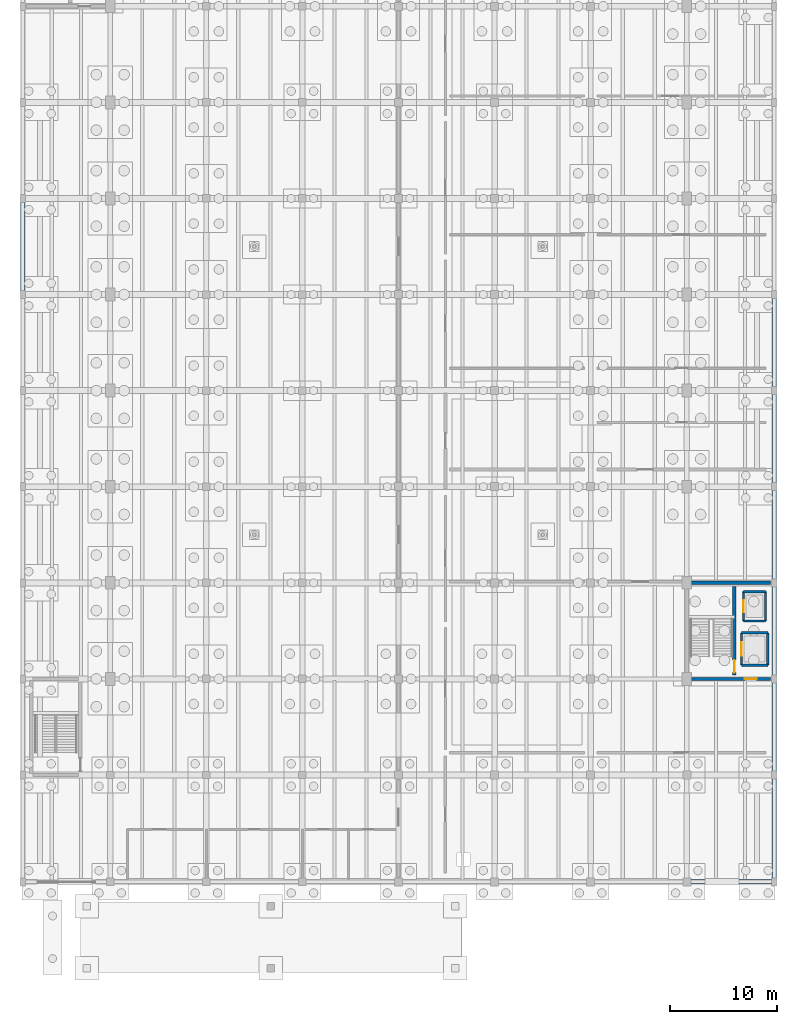
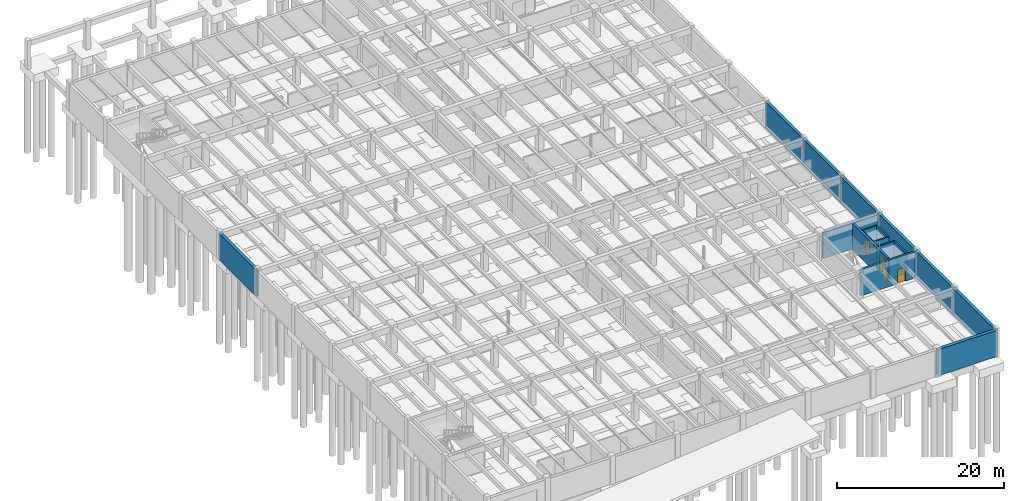
# One storey, part 19 of 23: 19 walls, 4 doors, 4 openings.
"""IFC4 building model written with IfcOpenShell, lengths in metres."""

from ifc_helpers import new_model, si_unit, direction, frame, frame_2d, origin, place, context, subcontext, project, spatial, rectangle, extrude, material, layer, layer_set, type_object, element, fill, save


model = new_model("IFC4")

# Units and contexts
model_context = context("Model", 3, precision=1e-05, world=origin(), true_north=direction((0.0, 1.0)))
body_context = subcontext(model_context, "Body", "Model", "MODEL_VIEW")
ifc_project = project(units=[si_unit("LENGTHUNIT", "METRE"), si_unit("AREAUNIT", "SQUARE_METRE"), si_unit("VOLUMEUNIT", "CUBIC_METRE"), si_unit("PLANEANGLEUNIT", "RADIAN"), si_unit("MASSUNIT", "GRAM", prefix="KILO")], contexts=[model_context])

# Site, building, storey
site_placement = place(None, origin())
site = spatial("IfcSite", under=ifc_project, at=site_placement, CompositionType="ELEMENT")
building_placement = place(site_placement, origin())
building = spatial("IfcBuilding", under=site, at=building_placement, Name="Ornek Quay Market", CompositionType="ELEMENT")
storey_placement = place(building_placement, frame((0.0, 0.0, -4.199951171875)))
storey = spatial("IfcBuildingStorey", under=building, at=storey_placement, Name="B1", CompositionType="ELEMENT", Elevation=-4.199951171875)

# Wall, opening, door
ifc_material_1 = material(Name="Concrete C40/50", Category="concrete")
ifc_layer_1 = layer(ifc_material_1, 0.300048828125, Name="Concrete C40/50", Category="concrete")
ifc_layer_set_1 = layer_set([ifc_layer_1], Name="Concrete C40/50")
wall_type_1 = type_object("IfcWallType", Name="WL-CORE-300", PredefinedType="SHEAR", material=ifc_layer_set_1)
wall_1_placement = place(storey_placement, frame((121.449951171875, 29.35009765625, 0.0), z_axis=(0.0, 0.0, 1.0), x_axis=(0.0, 1.0, 0.0)))
wall_1 = element("IfcWall", 1, at=wall_1_placement, inside=storey, type_object=wall_type_1, Name="Interior wall W-CORE1-074", PredefinedType="SHEAR", context=body_context, shape_type="SweptSolid", body=[
    extrude(rectangle(XDim=8.2998046875, YDim=0.300048828125, at=frame_2d((4.14990234375, 0.0))), origin(), (0.0, 0.0, 1.0), 3.820068359375),
])
opening_1_placement = place(wall_1_placement, frame((0.25, 0.0, 0.0)))
opening_1 = element("IfcOpeningElement", 2, at=opening_1_placement, cuts=wall_1, Name="Opening FD-03-030", PredefinedType="OPENING", context=body_context, shape_type="SweptSolid", body=[
    extrude(rectangle(XDim=1.14990234375, YDim=2.14990234375, at=frame_2d((0.574951171875, 1.074951171875))), frame((0.0, 0.159912109375, 0.0), z_axis=(0.0, -1.0, 0.0), x_axis=(1.0, 0.0, 0.0)), (0.0, 0.0, 1.0), 0.320068359375),
])
ifc_material_2 = material(Name="Insulated fire-rated painted steel", Category="steel")
door_type_1 = type_object("IfcDoorType", Name="DR-FIRE-STAIR-1150x2150", OperationType="NOTDEFINED", PredefinedType="DOOR", material=ifc_material_2)
door_1_placement = place(opening_1_placement, origin())
door_1 = element("IfcDoor", 3, at=door_1_placement, inside=storey, type_object=door_type_1, Name="Interior door FD-03-030", OperationType="SINGLE_SWING_LEFT", OverallHeight=2.14990234375, OverallWidth=1.14990234375, PredefinedType="DOOR", context=body_context, shape_type="SweptSolid", body=[
    extrude(rectangle(XDim=1.14990234375, YDim=2.14990234375, at=frame_2d((0.574951171875, 1.074951171875))), frame((0.0, 0.02490234375, 0.0), z_axis=(0.0, -1.0, 0.0), x_axis=(1.0, 0.0, 0.0)), (0.0, 0.0, 1.0), 0.050048828125),
])
fill(opening_1, door_1)

wall_2_placement = place(storey_placement, frame((117.35009765625, 29.0, 0.0), z_axis=(0.0, 0.0, 1.0), x_axis=(1.0, 0.0, 0.0)))
wall_2 = element("IfcWall", 4, at=wall_2_placement, inside=storey, type_object=wall_type_1, Name="Interior wall W-CORE1-076", PredefinedType="SHEAR", context=body_context, shape_type="SweptSolid", body=[
    extrude(rectangle(XDim=7.5, YDim=0.300048828125, at=frame_2d((3.75, 0.0))), origin(), (0.0, 0.0, 1.0), 3.820068359375),
])
opening_2_placement = place(wall_2_placement, frame((5.10009765625, 0.0, 0.0)))
opening_2 = element("IfcOpeningElement", 5, at=opening_2_placement, cuts=wall_2, Name="Opening FD-04-031", PredefinedType="OPENING", context=body_context, shape_type="SweptSolid", body=[
    extrude(rectangle(XDim=1.10009765625, YDim=2.10009765625, at=frame_2d((0.550048828125, 1.050048828125))), frame((0.0, 0.159912109375, 0.0), z_axis=(0.0, -1.0, 0.0), x_axis=(1.0, 0.0, 0.0)), (0.0, 0.0, 1.0), 0.320068359375),
])
door_type_2 = type_object("IfcDoorType", Name="DR-FIRE-LOBBY-1100x2100", OperationType="NOTDEFINED", PredefinedType="DOOR", material=ifc_material_2)
door_2_placement = place(opening_2_placement, origin())
door_2 = element("IfcDoor", 6, at=door_2_placement, inside=storey, type_object=door_type_2, Name="Interior door FD-04-031", OperationType="SINGLE_SWING_RIGHT", OverallHeight=2.10009765625, OverallWidth=1.10009765625, PredefinedType="DOOR", context=body_context, shape_type="SweptSolid", body=[
    extrude(rectangle(XDim=1.10009765625, YDim=2.10009765625, at=frame_2d((0.550048828125, 1.050048828125))), frame((0.0, 0.02490234375, 0.0), z_axis=(0.0, -1.0, 0.0), x_axis=(1.0, 0.0, 0.0)), (0.0, 0.0, 1.0), 0.050048828125),
])
fill(opening_2, door_2)

# Walls
wall_3_placement = place(storey_placement, frame((117.35009765625, 38.0, 0.0), z_axis=(0.0, 0.0, 1.0), x_axis=(1.0, 0.0, 0.0)))
element("IfcWall", 7, at=wall_3_placement, inside=storey, type_object=wall_type_1, Name="Interior wall W-CORE1-077", PredefinedType="SHEAR", context=body_context, shape_type="SweptSolid", body=[
    extrude(rectangle(XDim=7.5, YDim=0.300048828125, at=frame_2d((3.75, 0.0))), origin(), (0.0, 0.0, 1.0), 3.820068359375),
])
ifc_material_3 = material(Name="Concrete C35/45", Category="concrete")
ifc_layer_2 = layer(ifc_material_3, 0.39990234375, Name="Concrete C35/45", Category="concrete")
ifc_layer_set_2 = layer_set([ifc_layer_2], Name="Concrete C35/45")
wall_type_2 = type_object("IfcWallType", Name="WL-RET-400", PredefinedType="USERDEFINED", material=ifc_layer_set_2)
wall_4_placement = place(storey_placement, frame((125.199951171875, 10.0, 0.0), z_axis=(0.0, 0.0, 1.0), x_axis=(0.0, 1.0, 0.0)))
element("IfcWall", 8, at=wall_4_placement, inside=storey, type_object=wall_type_2, Name="Exterior wall EW-018", ObjectType="RETAINING WALL", PredefinedType="USERDEFINED", context=body_context, shape_type="SweptSolid", body=[
    extrude(rectangle(XDim=10.0, YDim=0.39990234375, at=frame_2d((5.0, 0.0))), origin(), (0.0, 0.0, 1.0), 3.820068359375),
])
wall_5_placement = place(storey_placement, frame((125.199951171875, 20.0, 0.0), z_axis=(0.0, 0.0, 1.0), x_axis=(0.0, 1.0, 0.0)))
element("IfcWall", 9, at=wall_5_placement, inside=storey, type_object=wall_type_2, Name="Exterior wall EW-020", ObjectType="RETAINING WALL", PredefinedType="USERDEFINED", context=body_context, shape_type="SweptSolid", body=[
    extrude(rectangle(XDim=9.0, YDim=0.39990234375, at=frame_2d((4.5, 0.0))), origin(), (0.0, 0.0, 1.0), 3.820068359375),
])
for number, where, z_axis, x_axis, name in (
    (10, (125.199951171875, 29.0, 0.0), (0.0, 0.0, 1.0), (0.0, 1.0, 0.0), "Exterior wall EW-022"),
    (11, (125.199951171875, 38.0, 0.0), (0.0, 0.0, 1.0), (0.0, 1.0, 0.0), "Exterior wall EW-024"),
    (12, (125.199951171875, 47.0, 0.0), (0.0, 0.0, 1.0), (0.0, 1.0, 0.0), "Exterior wall EW-026"),
    (13, (125.199951171875, 56.0, 0.0), (0.0, 0.0, 1.0), (0.0, 1.0, 0.0), "Exterior wall EW-028"),
    (14, (54.800048828125, 65.0, 0.0), (0.0, 0.0, 1.0), (0.0, 1.0, 0.0), "Exterior wall EW-029"),
):
    element("IfcWall", number, at=place(storey_placement, frame(where, z_axis=z_axis, x_axis=x_axis)), inside=storey, type_object=wall_type_2, Name=name, ObjectType="RETAINING WALL", PredefinedType="USERDEFINED", context=body_context, shape_type="SweptSolid", body=[
        extrude(rectangle(XDim=9.0, YDim=0.39990234375, at=frame_2d((4.5, 0.0))), origin(), (0.0, 0.0, 1.0), 3.85986328125),
    ])
ifc_layer_3 = layer(ifc_material_3, 0.449951171875, Name="Concrete C35/45", Category="concrete")
ifc_layer_set_3 = layer_set([ifc_layer_3], Name="Concrete C35/45")
wall_type_3 = type_object("IfcWallType", Name="WL-RET-450", PredefinedType="USERDEFINED", material=ifc_layer_set_3)
wall_6_placement = place(storey_placement, frame((117.0, 10.0, 0.0), z_axis=(0.0, 0.0, 1.0), x_axis=(1.0, 0.0, 0.0)))
element("IfcWall", 15, at=wall_6_placement, inside=storey, type_object=wall_type_3, Name="Exterior wall EW-015", ObjectType="RETAINING WALL", PredefinedType="USERDEFINED", context=body_context, shape_type="SweptSolid", body=[
    extrude(rectangle(XDim=8.199951171875, YDim=0.449951171875, at=frame_2d((4.10009765625, 0.0))), origin(), (0.0, 0.0, 1.0), 3.820068359375),
])

# Wall, opening, door
ifc_layer_4 = layer(ifc_material_3, 0.199951171875, Name="Concrete C35/45", Category="concrete")
ifc_layer_set_4 = layer_set([ifc_layer_4], Name="Concrete C35/45")
wall_type_4 = type_object("IfcWallType", Name="WL-SHAFT-200", PredefinedType="SOLIDWALL", material=ifc_layer_set_4)
wall_7_placement = place(storey_placement, frame((122.110107421875, 30.280029296875, 0.0), z_axis=(0.0, 0.0, 1.0), x_axis=(0.0, 1.0, 0.0)))
wall_7 = element("IfcWall", 16, at=wall_7_placement, inside=storey, type_object=wall_type_4, Name="Interior wall W-CORE3-078", PredefinedType="SOLIDWALL", context=body_context, shape_type="SweptSolid", body=[
    extrude(rectangle(XDim=3.0400390625, YDim=0.199951171875, at=frame_2d((1.52001953125, 0.0))), origin(), (0.0, 0.0, 1.0), 2.849853515625),
])
opening_3_placement = place(wall_7_placement, frame((0.8701171875, 0.0, 0.0)))
opening_3 = element("IfcOpeningElement", 17, at=opening_3_placement, cuts=wall_7, Name="Opening LD-02-032", PredefinedType="OPENING", context=body_context, shape_type="SweptSolid", body=[
    extrude(rectangle(XDim=1.300048828125, YDim=2.199951171875, at=frame_2d((0.64990234375, 1.10009765625))), frame((0.0, 0.10986328125, 0.0), z_axis=(0.0, -1.0, 0.0), x_axis=(1.0, 0.0, 0.0)), (0.0, 0.0, 1.0), 0.219970703125),
])
ifc_material_4 = material(Name="Brushed stainless steel goods lift door", Category="steel")
door_type_3 = type_object("IfcDoorType", Name="DR-LIFT-1300x2200", OperationType="DOUBLE_DOOR_SLIDING", PredefinedType="DOOR", material=ifc_material_4)
door_3_placement = place(opening_3_placement, origin())
door_3 = element("IfcDoor", 18, at=door_3_placement, inside=storey, type_object=door_type_3, Name="Interior door LD-02-032", OperationType="DOUBLE_DOOR_SLIDING", OverallHeight=2.199951171875, OverallWidth=1.300048828125, PredefinedType="DOOR", context=body_context, shape_type="SweptSolid", body=[
    extrude(rectangle(XDim=1.300048828125, YDim=2.199951171875, at=frame_2d((0.64990234375, 1.10009765625))), frame((0.0, 0.02490234375, 0.0), z_axis=(0.0, -1.0, 0.0), x_axis=(1.0, 0.0, 0.0)), (0.0, 0.0, 1.0), 0.050048828125),
])
fill(opening_3, door_3)

# Walls
for number, where, z_axis, x_axis, name in (
    (19, (122.110107421875, 30.280029296875, 0.0), (0.0, 0.0, 1.0), (1.0, 0.0, 0.0), "Interior wall W-CORE3-079"),
    (20, (122.110107421875, 33.320068359375, 0.0), (0.0, 0.0, 1.0), (1.0, 0.0, 0.0), "Interior wall W-CORE3-080"),
):
    element("IfcWall", number, at=place(storey_placement, frame(where, z_axis=z_axis, x_axis=x_axis)), inside=storey, type_object=wall_type_4, Name=name, PredefinedType="SOLIDWALL", context=body_context, shape_type="SweptSolid", body=[
        extrude(rectangle(XDim=2.47998046875, YDim=0.199951171875, at=frame_2d((1.239990234375, 0.0))), origin(), (0.0, 0.0, 1.0), 2.849853515625),
    ])
wall_8_placement = place(storey_placement, frame((124.590087890625, 30.280029296875, 0.0), z_axis=(0.0, 0.0, 1.0), x_axis=(0.0, 1.0, 0.0)))
element("IfcWall", 21, at=wall_8_placement, inside=storey, type_object=wall_type_4, Name="Interior wall W-CORE3-081", PredefinedType="SOLIDWALL", context=body_context, shape_type="SweptSolid", body=[
    extrude(rectangle(XDim=3.0400390625, YDim=0.199951171875, at=frame_2d((1.52001953125, 0.0))), origin(), (0.0, 0.0, 1.0), 2.849853515625),
])

# Wall, opening, door
wall_9_placement = place(storey_placement, frame((122.31005859375, 34.429931640625, 0.0), z_axis=(0.0, 0.0, 1.0), x_axis=(0.0, 1.0, 0.0)))
wall_9 = element("IfcWall", 22, at=wall_9_placement, inside=storey, type_object=wall_type_4, Name="Interior wall W-CORE3-082", PredefinedType="SOLIDWALL", context=body_context, shape_type="SweptSolid", body=[
    extrude(rectangle(XDim=2.739990234375, YDim=0.199951171875, at=frame_2d((1.3701171875, 0.0))), origin(), (0.0, 0.0, 1.0), 2.849853515625),
])
opening_4_placement = place(wall_9_placement, frame((0.820068359375, 0.0, 0.0)))
opening_4 = element("IfcOpeningElement", 23, at=opening_4_placement, cuts=wall_9, Name="Opening LD-01-033", PredefinedType="OPENING", context=body_context, shape_type="SweptSolid", body=[
    extrude(rectangle(XDim=1.10009765625, YDim=2.10009765625, at=frame_2d((0.550048828125, 1.050048828125))), frame((0.0, 0.10986328125, 0.0), z_axis=(0.0, -1.0, 0.0), x_axis=(1.0, 0.0, 0.0)), (0.0, 0.0, 1.0), 0.219970703125),
])
ifc_material_5 = material(Name="Brushed stainless steel landing door", Category="steel")
door_type_4 = type_object("IfcDoorType", Name="DR-LIFT-1100x2100", OperationType="SLIDING_TO_LEFT", PredefinedType="DOOR", material=ifc_material_5)
door_4_placement = place(opening_4_placement, origin())
door_4 = element("IfcDoor", 24, at=door_4_placement, inside=storey, type_object=door_type_4, Name="Interior door LD-01-033", OperationType="SLIDING_TO_LEFT", OverallHeight=2.10009765625, OverallWidth=1.10009765625, PredefinedType="DOOR", context=body_context, shape_type="SweptSolid", body=[
    extrude(rectangle(XDim=1.10009765625, YDim=2.10009765625, at=frame_2d((0.550048828125, 1.050048828125))), frame((0.0, 0.02490234375, 0.0), z_axis=(0.0, -1.0, 0.0), x_axis=(1.0, 0.0, 0.0)), (0.0, 0.0, 1.0), 0.050048828125),
])
fill(opening_4, door_4)

# Walls
for number, where, z_axis, x_axis, name in (
    (25, (122.31005859375, 34.429931640625, 0.0), (0.0, 0.0, 1.0), (1.0, 0.0, 0.0), "Interior wall W-CORE3-083"),
    (26, (122.31005859375, 37.169921875, 0.0), (0.0, 0.0, 1.0), (1.0, 0.0, 0.0), "Interior wall W-CORE3-084"),
):
    element("IfcWall", number, at=place(storey_placement, frame(where, z_axis=z_axis, x_axis=x_axis)), inside=storey, type_object=wall_type_4, Name=name, PredefinedType="SOLIDWALL", context=body_context, shape_type="SweptSolid", body=[
        extrude(rectangle(XDim=2.079833984375, YDim=0.199951171875, at=frame_2d((1.0400390625, 0.0))), origin(), (0.0, 0.0, 1.0), 2.849853515625),
    ])
wall_10_placement = place(storey_placement, frame((124.389892578125, 34.429931640625, 0.0), z_axis=(0.0, 0.0, 1.0), x_axis=(0.0, 1.0, 0.0)))
element("IfcWall", 27, at=wall_10_placement, inside=storey, type_object=wall_type_4, Name="Interior wall W-CORE3-085", PredefinedType="SOLIDWALL", context=body_context, shape_type="SweptSolid", body=[
    extrude(rectangle(XDim=2.739990234375, YDim=0.199951171875, at=frame_2d((1.3701171875, 0.0))), origin(), (0.0, 0.0, 1.0), 2.849853515625),
])

save(model, "model.ifc")
